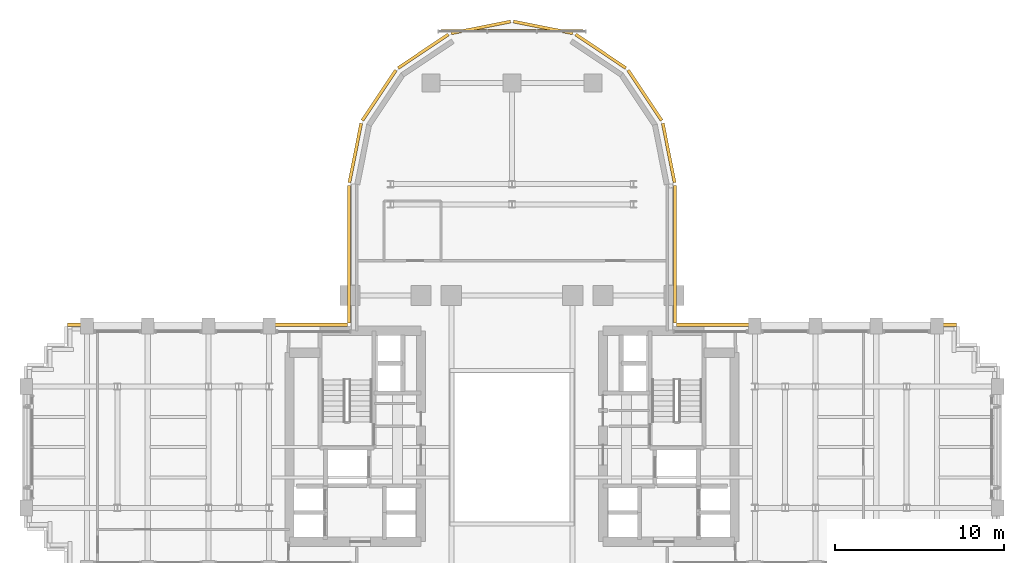
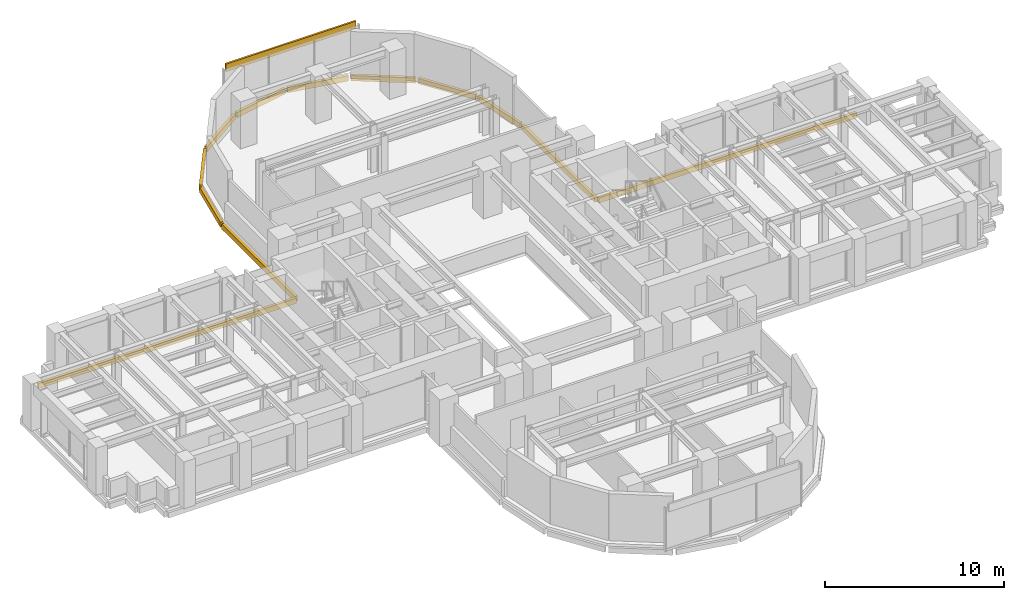
# One storey, part 16 of 16: 13 coverings.
"""IFC4 building model written with IfcOpenShell, lengths in metres."""

from ifc_helpers import new_model, si_unit, direction, frame, origin, origin_2d, place, context, subcontext, project, spatial, rectangle, extrude, source, transform, mapped, material, layer, layer_set, type_object, element, save


model = new_model("IFC4")

# Units and contexts
model_context = context("Model", 3, precision=1e-05, world=origin(), true_north=direction((0.0, 1.0)))
body_context = subcontext(model_context, "Body", "Model", "MODEL_VIEW")
ifc_project = project(units=[si_unit("LENGTHUNIT", "METRE"), si_unit("AREAUNIT", "SQUARE_METRE"), si_unit("VOLUMEUNIT", "CUBIC_METRE"), si_unit("PLANEANGLEUNIT", "RADIAN"), si_unit("MASSUNIT", "GRAM", prefix="KILO")], contexts=[model_context])

# Site, building, storey
site_placement = place(None, origin())
site = spatial("IfcSite", under=ifc_project, at=site_placement, CompositionType="ELEMENT")
building_placement = place(site_placement, origin())
building = spatial("IfcBuilding", under=site, at=building_placement, Name="Keilestroom Media Tower", CompositionType="ELEMENT")
storey_placement = place(building_placement, frame((0.0, 0.0, 57.800048828125)))
storey = spatial("IfcBuildingStorey", under=building, at=storey_placement, Name="L14", CompositionType="ELEMENT", Elevation=57.800048828125)

# Coverings
ifc_material = material(Name="Precast concrete C40/50", Category="concrete")
ifc_layer = layer(ifc_material, 0.1201171875)
ifc_layer_set = layer_set([ifc_layer], Name="Precast concrete C40/50")
covering_type = type_object("IfcCoveringType", Name="Exterior-Precast-Spandrel-Cladding-Panel-120", PredefinedType="CLADDING", material=ifc_layer_set)
shared_shape_1 = source(origin(), body_context, "Body", "SweptSolid", [
    extrude(rectangle(XDim=8.39990234375, YDim=0.1201171875, at=origin_2d()), origin(), (0.0, 0.0, 1.0), 0.52001953125),
])
covering_placement = place(storey_placement, frame((0.0, 24.719970703125, 2.68994140625), z_axis=(0.0, 0.0, 1.0), x_axis=(1.0, 0.0, 0.0)))
element("IfcCovering", 1, at=covering_placement, inside=storey, type_object=covering_type, Name="L14 Precast Spandrel Cladding N", PredefinedType="CLADDING", context=body_context, shape_type="MappedRepresentation", body=[
    mapped(shared_shape_1, transform((0.0, 0.0, 0.0), x_axis=(1.0, 0.0, 0.0), y_axis=(0.0, 1.0, 0.0), z_axis=(0.0, 0.0, 1.0), scale=1.0)),
])
shared_shape_2 = source(origin(), body_context, "Body", "SweptSolid", [
    extrude(rectangle(XDim=16.6201171875, YDim=0.179931640625, at=origin_2d()), origin(), (0.0, 0.0, 1.0), 0.360107421875),
])
for number, where, z_axis, x_axis, name in (
    (2, (-18.06005859375, 7.260009765625, -0.5400390625), (0.0, 0.0, 1.0), (1.0, 0.0, 0.0), "L14 Precast Slab-Edge Fascia Cornice 26"),
    (3, (18.06005859375, 7.260009765625, -0.5400390625), (0.0, 0.0, 1.0), (1.0, 0.0, 0.0), "L14 Precast Slab-Edge Fascia Cornice 37"),
):
    element("IfcCovering", number, at=place(storey_placement, frame(where, z_axis=z_axis, x_axis=x_axis)), inside=storey, type_object=covering_type, Name=name, PredefinedType="CLADDING", context=body_context, shape_type="MappedRepresentation", body=[
        mapped(shared_shape_2, transform((0.0, 0.0, 0.0), x_axis=(1.0, 0.0, 0.0), y_axis=(0.0, 1.0, 0.0), z_axis=(0.0, 0.0, 1.0), scale=1.0)),
    ])
shared_shape_3 = source(origin(), body_context, "Body", "SweptSolid", [
    extrude(rectangle(XDim=8.166015625, YDim=0.179931640625, at=origin_2d()), origin(), (0.0, 0.0, 1.0), 0.360107421875),
])
for number, where, z_axis, x_axis, name in (
    (4, (-9.659912109375, 11.43310546875, -0.5400390625), (0.0, 0.0, 1.0), (0.0, 1.0, 0.0), "L14 Precast Slab-Edge Fascia Cornice 27"),
    (5, (9.659912109375, 11.43310546875, -0.5400390625), (0.0, 0.0, 1.0), (0.0, -1.0, 0.0), "L14 Precast Slab-Edge Fascia Cornice 36"),
):
    element("IfcCovering", number, at=place(storey_placement, frame(where, z_axis=z_axis, x_axis=x_axis)), inside=storey, type_object=covering_type, Name=name, PredefinedType="CLADDING", context=body_context, shape_type="MappedRepresentation", body=[
        mapped(shared_shape_3, transform((0.0, 0.0, 0.0), x_axis=(1.0, 0.0, 0.0), y_axis=(0.0, 1.0, 0.0), z_axis=(0.0, 0.0, 1.0), scale=1.0)),
    ])
shared_shape_4 = source(origin(), body_context, "Body", "SweptSolid", [
    extrude(rectangle(XDim=3.58349609375, YDim=0.179931640625, at=origin_2d()), origin(), (0.0, 0.0, 1.0), 0.360107421875),
])
for number, where, z_axis, x_axis, name in (
    (6, (-9.29296875, 17.45166015625, -0.5400390625), (0.0, 0.0, 1.0), (0.195098880975, 0.980783577882, 0.0), "L14 Precast Slab-Edge Fascia Cornice 28"),
    (7, (9.29296875, 17.45166015625, -0.5400390625), (0.0, 0.0, 1.0), (0.195098880975, -0.980783577882, 0.0), "L14 Precast Slab-Edge Fascia Cornice 35"),
):
    element("IfcCovering", number, at=place(storey_placement, frame(where, z_axis=z_axis, x_axis=x_axis)), inside=storey, type_object=covering_type, Name=name, PredefinedType="CLADDING", context=body_context, shape_type="MappedRepresentation", body=[
        mapped(shared_shape_4, transform((0.0, 0.0, 0.0), x_axis=(1.0, 0.0, 0.0), y_axis=(0.0, 1.0, 0.0), z_axis=(0.0, 0.0, 1.0), scale=1.0)),
    ])
shared_shape_5 = source(origin(), body_context, "Body", "SweptSolid", [
    extrude(rectangle(XDim=3.589599609375, YDim=0.179931640625, at=origin_2d()), origin(), (0.0, 0.0, 1.0), 0.360107421875),
])
for number, where, z_axis, x_axis, name in (
    (8, (-7.878662109375, 20.8642578125, -0.5400390625), (0.0, 0.0, 1.0), (0.555574586577, 0.831466703332, 0.0), "L14 Precast Slab-Edge Fascia Cornice 29"),
    (9, (-5.264404296875, 23.478515625, -0.5400390625), (0.0, 0.0, 1.0), (0.831466703332, 0.555574586577, 0.0), "L14 Precast Slab-Edge Fascia Cornice 30"),
    (10, (-1.8486328125, 24.893310546875, -0.5400390625), (0.0, 0.0, 1.0), (0.980783577882, 0.195098880975, 0.0), "L14 Precast Slab-Edge Fascia Cornice 31"),
    (11, (1.8486328125, 24.893310546875, -0.5400390625), (0.0, 0.0, 1.0), (0.980783577882, -0.195098880975, 0.0), "L14 Precast Slab-Edge Fascia Cornice 32"),
    (12, (5.264404296875, 23.478515625, -0.5400390625), (0.0, 0.0, 1.0), (0.831466703332, -0.555574586577, 0.0), "L14 Precast Slab-Edge Fascia Cornice 33"),
    (13, (7.878662109375, 20.8642578125, -0.5400390625), (0.0, 0.0, 1.0), (0.555574586577, -0.831466703332, 0.0), "L14 Precast Slab-Edge Fascia Cornice 34"),
):
    element("IfcCovering", number, at=place(storey_placement, frame(where, z_axis=z_axis, x_axis=x_axis)), inside=storey, type_object=covering_type, Name=name, PredefinedType="CLADDING", context=body_context, shape_type="MappedRepresentation", body=[
        mapped(shared_shape_5, transform((0.0, 0.0, 0.0), x_axis=(1.0, 0.0, 0.0), y_axis=(0.0, 1.0, 0.0), z_axis=(0.0, 0.0, 1.0), scale=1.0)),
    ])

save(model, "model.ifc")
